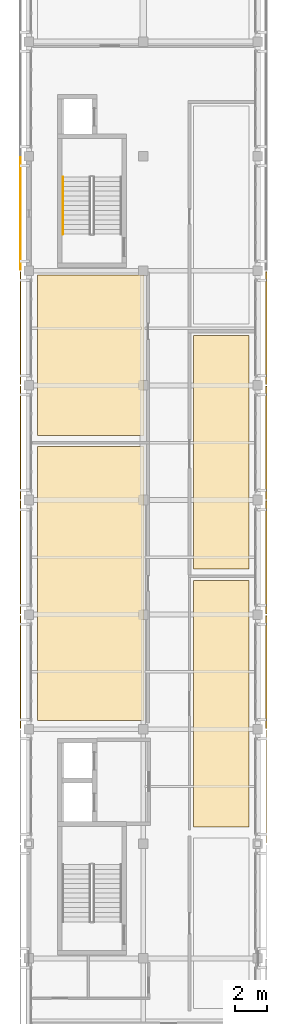
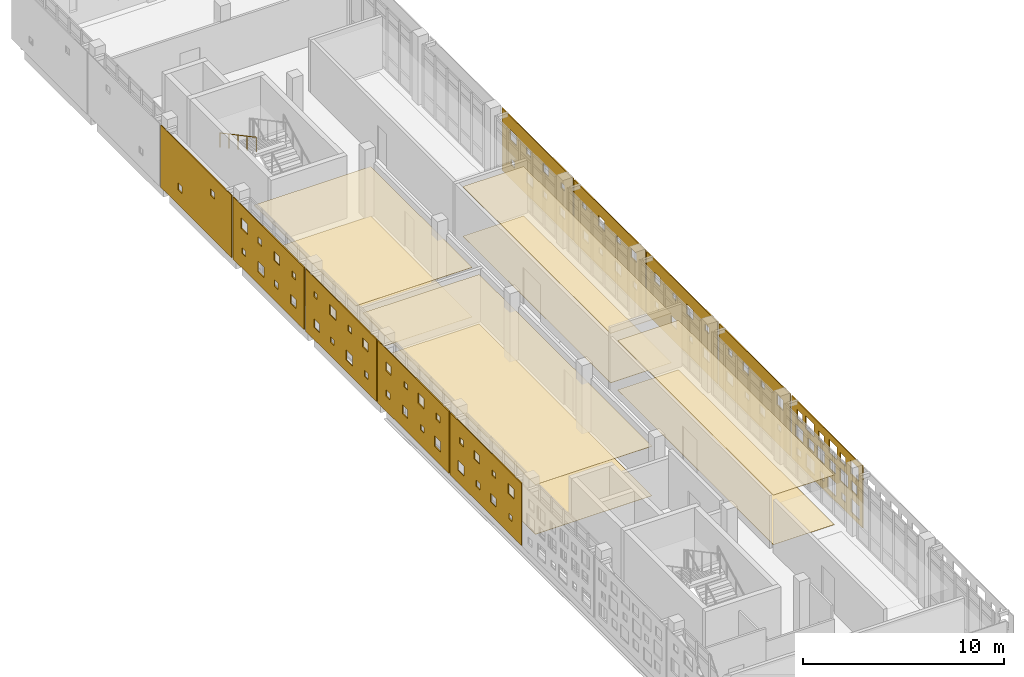
# One storey, part 20 of 21: 18 coverings, 1 railing.
"""IFC4 building model written with IfcOpenShell, lengths in metres."""

from ifc_helpers import new_model, si_unit, direction, frame, origin, origin_2d, place, context, subcontext, project, spatial, polyline, circle, outline, extrude, material, layer, layer_set, type_object, element, save


model = new_model("IFC4")

# Units and contexts
model_context = context("Model", 3, precision=1e-05, world=origin(), true_north=direction((0.0, 1.0)))
body_context = subcontext(model_context, "Body", "Model", "MODEL_VIEW")
ifc_project = project(units=[si_unit("LENGTHUNIT", "METRE"), si_unit("AREAUNIT", "SQUARE_METRE"), si_unit("VOLUMEUNIT", "CUBIC_METRE"), si_unit("PLANEANGLEUNIT", "RADIAN"), si_unit("MASSUNIT", "GRAM", prefix="KILO")], contexts=[model_context])

# Site, building, storey
site_placement = place(None, origin())
site = spatial("IfcSite", under=ifc_project, at=site_placement, CompositionType="ELEMENT")
building_placement = place(site_placement, origin())
building = spatial("IfcBuilding", under=site, at=building_placement, Name="Valkovuoma Quantum and Materials Research Institute", CompositionType="ELEMENT")
storey_placement = place(building_placement, frame((0.0, 0.0, 33.919921875)))
storey = spatial("IfcBuildingStorey", under=building, at=storey_placement, Name="L08", CompositionType="ELEMENT", Elevation=33.919921875)

# Coverings
ifc_material_1 = material(Name="Cleanable acoustic mineral-fibre suspended ceiling", Category="masonry")
ifc_layer_1 = layer(ifc_material_1, 0.02490234375)
ifc_layer_set_1 = layer_set([ifc_layer_1], Name="Cleanable acoustic mineral-fibre suspended ceiling")
covering_type_1 = type_object("IfcCoveringType", Name="Cov-CEIL-01", PredefinedType="CEILING", material=ifc_layer_set_1)
covering_1_placement = place(storey_placement, frame((0.0, 0.0, 3.0)))
element("IfcCovering", 1, at=covering_1_placement, inside=storey, type_object=covering_type_1, Name="L08 acoustic ceiling 0157", PredefinedType="CEILING", context=body_context, shape_type="SweptSolid", body=[
    extrude(outline(polyline([(0.550048828125, 43.75), (7.25, 43.75), (7.25, 60.949951171875), (0.550048828125, 60.949951171875), (0.550048828125, 43.75)])), origin(), (0.0, 0.0, 1.0), 0.025146484375),
])
covering_2_placement = place(storey_placement, frame((0.0, 0.0, 3.0)))
element("IfcCovering", 2, at=covering_2_placement, inside=storey, type_object=covering_type_1, Name="L08 acoustic ceiling 0158", PredefinedType="CEILING", context=body_context, shape_type="SweptSolid", body=[
    extrude(outline(polyline([(0.550048828125, 61.64990234375), (7.25, 61.64990234375), (7.25, 71.75), (0.550048828125, 71.75), (0.550048828125, 61.64990234375)])), origin(), (0.0, 0.0, 1.0), 0.025146484375),
])
covering_3_placement = place(storey_placement, frame((0.0, 0.0, 3.0)))
element("IfcCovering", 3, at=covering_3_placement, inside=storey, type_object=covering_type_1, Name="L08 acoustic ceiling 0161", PredefinedType="CEILING", context=body_context, shape_type="SweptSolid", body=[
    extrude(outline(polyline([(10.35009765625, 37.050048828125), (13.85009765625, 37.050048828125), (13.85009765625, 52.550048828125), (10.35009765625, 52.550048828125), (10.35009765625, 37.050048828125)])), origin(), (0.0, 0.0, 1.0), 0.025146484375),
])
covering_4_placement = place(storey_placement, frame((0.0, 0.0, 3.0)))
element("IfcCovering", 4, at=covering_4_placement, inside=storey, type_object=covering_type_1, Name="L08 acoustic ceiling 0162", PredefinedType="CEILING", context=body_context, shape_type="SweptSolid", body=[
    extrude(outline(polyline([(10.35009765625, 53.25), (13.85009765625, 53.25), (13.85009765625, 67.949951171875), (10.35009765625, 67.949951171875), (10.35009765625, 53.25)])), origin(), (0.0, 0.0, 1.0), 0.025146484375),
])
ifc_material_2 = material(Name="Seamless dissipative laboratory resin flooring", Category="masonry")
ifc_layer_2 = layer(ifc_material_2, 0.014892578125)
ifc_layer_set_2 = layer_set([ifc_layer_2], Name="Seamless dissipative laboratory resin flooring")
covering_type_2 = type_object("IfcCoveringType", Name="Cov-FLOR-01", PredefinedType="FLOORING", material=ifc_layer_set_2)
covering_5_placement = place(storey_placement, origin())
element("IfcCovering", 5, at=covering_5_placement, inside=storey, type_object=covering_type_2, Name="L08 resin flooring 0157", PredefinedType="FLOORING", context=body_context, shape_type="SweptSolid", body=[
    extrude(outline(polyline([(0.550048828125, 43.75), (7.25, 43.75), (7.25, 60.949951171875), (0.550048828125, 60.949951171875), (0.550048828125, 43.75)])), origin(), (0.0, 0.0, 1.0), 0.01513671875),
])
covering_6_placement = place(storey_placement, origin())
element("IfcCovering", 6, at=covering_6_placement, inside=storey, type_object=covering_type_2, Name="L08 resin flooring 0158", PredefinedType="FLOORING", context=body_context, shape_type="SweptSolid", body=[
    extrude(outline(polyline([(0.550048828125, 61.64990234375), (7.25, 61.64990234375), (7.25, 71.75), (0.550048828125, 71.75), (0.550048828125, 61.64990234375)])), origin(), (0.0, 0.0, 1.0), 0.01513671875),
])
covering_7_placement = place(storey_placement, origin())
element("IfcCovering", 7, at=covering_7_placement, inside=storey, type_object=covering_type_2, Name="L08 resin flooring 0161", PredefinedType="FLOORING", context=body_context, shape_type="SweptSolid", body=[
    extrude(outline(polyline([(10.35009765625, 37.050048828125), (13.85009765625, 37.050048828125), (13.85009765625, 52.550048828125), (10.35009765625, 52.550048828125), (10.35009765625, 37.050048828125)])), origin(), (0.0, 0.0, 1.0), 0.01513671875),
])
covering_8_placement = place(storey_placement, origin())
element("IfcCovering", 8, at=covering_8_placement, inside=storey, type_object=covering_type_2, Name="L08 resin flooring 0162", PredefinedType="FLOORING", context=body_context, shape_type="SweptSolid", body=[
    extrude(outline(polyline([(10.35009765625, 53.25), (13.85009765625, 53.25), (13.85009765625, 67.949951171875), (10.35009765625, 67.949951171875), (10.35009765625, 53.25)])), origin(), (0.0, 0.0, 1.0), 0.01513671875),
])
ifc_material_3 = material(Name="White powder-coated aluminium architectural panel", Category="aluminium")
ifc_layer_3 = layer(ifc_material_3, 0.054931640625)
ifc_layer_set_3 = layer_set([ifc_layer_3], Name="White powder-coated aluminium architectural panel")
covering_type_3 = type_object("IfcCoveringType", Name="Cov-PERF-DENSE", PredefinedType="CLADDING", material=ifc_layer_set_3)
covering_9_placement = place(storey_placement, frame((14.919921875, 36.06005859375, 0.02001953125), z_axis=(0.0, 0.0, 1.0), x_axis=(0.0, 1.0, 0.0)))
element("IfcCovering", 9, at=covering_9_placement, inside=storey, type_object=covering_type_3, Name="L08 graduated perforated white screen E-0121", PredefinedType="CLADDING", context=body_context, shape_type="SweptSolid", body=[
    extrude(outline(polyline([(0.0, 0.0), (7.079833984375, 0.0), (7.079833984375, 3.77001953125), (0.0, 3.77001953125), (0.0, 0.0)]), holes=[polyline([(0.318359375, 0.304931640625), (0.318359375, 1.14501953125), (1.158203125, 1.14501953125), (1.158203125, 0.304931640625), (0.318359375, 0.304931640625)]), polyline([(0.568359375, 1.64501953125), (0.568359375, 2.22509765625), (1.148193359375, 2.22509765625), (1.148193359375, 1.64501953125), (0.568359375, 1.64501953125)]), polyline([(0.398193359375, 2.594970703125), (0.398193359375, 3.39501953125), (1.1982421875, 3.39501953125), (1.1982421875, 2.594970703125), (0.398193359375, 2.594970703125)]), polyline([(1.68505859375, 0.514892578125), (1.68505859375, 0.93505859375), (2.10498046875, 0.93505859375), (2.10498046875, 0.514892578125), (1.68505859375, 0.514892578125)]), polyline([(1.455078125, 1.554931640625), (1.455078125, 2.31494140625), (2.215087890625, 2.31494140625), (2.215087890625, 1.554931640625), (1.455078125, 1.554931640625)]), polyline([(1.68505859375, 2.72509765625), (1.68505859375, 3.264892578125), (2.22509765625, 3.264892578125), (2.22509765625, 2.72509765625), (1.68505859375, 2.72509765625)]), polyline([(2.631591796875, 0.304931640625), (2.631591796875, 1.14501953125), (3.4716796875, 1.14501953125), (3.4716796875, 0.304931640625), (2.631591796875, 0.304931640625)]), polyline([(2.70166015625, 1.64501953125), (2.70166015625, 2.22509765625), (3.28173828125, 2.22509765625), (3.28173828125, 1.64501953125), (2.70166015625, 1.64501953125)]), polyline([(2.53173828125, 2.594970703125), (2.53173828125, 3.39501953125), (3.331787109375, 3.39501953125), (3.331787109375, 2.594970703125), (2.53173828125, 2.594970703125)]), polyline([(3.818359375, 0.514892578125), (3.818359375, 0.93505859375), (4.23828125, 0.93505859375), (4.23828125, 0.514892578125), (3.818359375, 0.514892578125)]), polyline([(3.768310546875, 1.554931640625), (3.768310546875, 2.31494140625), (4.5283203125, 2.31494140625), (4.5283203125, 1.554931640625), (3.768310546875, 1.554931640625)]), polyline([(3.818359375, 2.72509765625), (3.818359375, 3.264892578125), (4.3583984375, 3.264892578125), (4.3583984375, 2.72509765625), (3.818359375, 2.72509765625)]), polyline([(4.764892578125, 0.304931640625), (4.764892578125, 1.14501953125), (5.60498046875, 1.14501953125), (5.60498046875, 0.304931640625), (4.764892578125, 0.304931640625)]), polyline([(4.8349609375, 1.64501953125), (4.8349609375, 2.22509765625), (5.4150390625, 2.22509765625), (5.4150390625, 1.64501953125), (4.8349609375, 1.64501953125)]), polyline([(4.844970703125, 2.594970703125), (4.844970703125, 3.39501953125), (5.64501953125, 3.39501953125), (5.64501953125, 2.594970703125), (4.844970703125, 2.594970703125)]), polyline([(6.131591796875, 0.514892578125), (6.131591796875, 0.93505859375), (6.5517578125, 0.93505859375), (6.5517578125, 0.514892578125), (6.131591796875, 0.514892578125)]), polyline([(5.901611328125, 1.554931640625), (5.901611328125, 2.31494140625), (6.66162109375, 2.31494140625), (6.66162109375, 1.554931640625), (5.901611328125, 1.554931640625)]), polyline([(5.95166015625, 2.72509765625), (5.95166015625, 3.264892578125), (6.49169921875, 3.264892578125), (6.49169921875, 2.72509765625), (5.95166015625, 2.72509765625)])]), frame((0.0, 0.02734375, 0.0), z_axis=(0.0, -1.0, 0.0), x_axis=(1.0, 0.0, 0.0)), (0.0, 0.0, 1.0), 0.054931640625),
])
ifc_material_4 = material(Name="White powder-coated aluminium architectural panel", Category="aluminium")
ifc_layer_4 = layer(ifc_material_4, 0.054931640625)
ifc_layer_set_4 = layer_set([ifc_layer_4], Name="White powder-coated aluminium architectural panel")
covering_type_4 = type_object("IfcCoveringType", Name="Cov-PERF-MID", PredefinedType="CLADDING", material=ifc_layer_set_4)
for number, where, z_axis, x_axis, name in (
    (10, (-0.52001953125, 43.260009765625, 0.02001953125), (0.0, 0.0, 1.0), (0.0, 1.0, 0.0), "L08 graduated perforated white screen W-0122"),
    (11, (14.919921875, 43.260009765625, 0.02001953125), (0.0, 0.0, 1.0), (0.0, 1.0, 0.0), "L08 graduated perforated white screen E-0123"),
):
    element("IfcCovering", number, at=place(storey_placement, frame(where, z_axis=z_axis, x_axis=x_axis)), inside=storey, type_object=covering_type_4, Name=name, PredefinedType="CLADDING", context=body_context, shape_type="SweptSolid", body=[
        extrude(outline(polyline([(0.0, 0.0), (7.080078125, 0.0), (7.080078125, 3.77001953125), (0.0, 3.77001953125), (0.0, 0.0)]), holes=[polyline([(0.902587890625, 0.882568359375), (0.902587890625, 1.222412109375), (1.242431640625, 1.222412109375), (1.242431640625, 0.882568359375), (0.902587890625, 0.882568359375)]), polyline([(0.702392578125, 2.357421875), (0.702392578125, 2.9775390625), (1.322509765625, 2.9775390625), (1.322509765625, 2.357421875), (0.702392578125, 2.357421875)]), polyline([(2.507568359375, 0.782470703125), (2.507568359375, 1.322509765625), (3.047607421875, 1.322509765625), (3.047607421875, 0.782470703125), (2.507568359375, 0.782470703125)]), polyline([(2.547607421875, 2.49755859375), (2.547607421875, 2.83740234375), (2.887451171875, 2.83740234375), (2.887451171875, 2.49755859375), (2.547607421875, 2.49755859375)]), polyline([(4.112548828125, 0.862548828125), (4.112548828125, 1.242431640625), (4.492431640625, 1.242431640625), (4.492431640625, 0.862548828125), (4.112548828125, 0.862548828125)]), polyline([(4.152587890625, 2.3974609375), (4.152587890625, 2.9375), (4.6923828125, 2.9375), (4.6923828125, 2.3974609375), (4.152587890625, 2.3974609375)]), polyline([(5.697509765625, 0.742431640625), (5.697509765625, 1.362548828125), (6.3173828125, 1.362548828125), (6.3173828125, 0.742431640625), (5.697509765625, 0.742431640625)]), polyline([(5.757568359375, 2.4775390625), (5.757568359375, 2.857421875), (6.137451171875, 2.857421875), (6.137451171875, 2.4775390625), (5.757568359375, 2.4775390625)])]), frame((0.0, 0.02734375, 0.0), z_axis=(0.0, -1.0, 0.0), x_axis=(1.0, 0.0, 0.0)), (0.0, 0.0, 1.0), 0.054931640625),
    ])
for number, where, z_axis, x_axis, name in (
    (12, (-0.52001953125, 50.4599609375, 0.02001953125), (0.0, 0.0, 1.0), (0.0, 1.0, 0.0), "L08 graduated perforated white screen W-0124"),
    (13, (14.919921875, 50.4599609375, 0.02001953125), (0.0, 0.0, 1.0), (0.0, 1.0, 0.0), "L08 graduated perforated white screen E-0125"),
):
    element("IfcCovering", number, at=place(storey_placement, frame(where, z_axis=z_axis, x_axis=x_axis)), inside=storey, type_object=covering_type_4, Name=name, PredefinedType="CLADDING", context=body_context, shape_type="SweptSolid", body=[
        extrude(outline(polyline([(0.0, 0.0), (7.080078125, 0.0), (7.080078125, 3.77001953125), (0.0, 3.77001953125), (0.0, 0.0)]), holes=[polyline([(0.822509765625, 0.79248046875), (0.822509765625, 1.41259765625), (1.4423828125, 1.41259765625), (1.4423828125, 0.79248046875), (0.822509765625, 0.79248046875)]), polyline([(0.882568359375, 2.527587890625), (0.882568359375, 2.907470703125), (1.262451171875, 2.907470703125), (1.262451171875, 2.527587890625), (0.882568359375, 2.527587890625)]), polyline([(2.487548828125, 0.9326171875), (2.487548828125, 1.2724609375), (2.827392578125, 1.2724609375), (2.827392578125, 0.9326171875), (2.487548828125, 0.9326171875)]), polyline([(2.467529296875, 2.407470703125), (2.467529296875, 3.027587890625), (3.08740234375, 3.027587890625), (3.08740234375, 2.407470703125), (2.467529296875, 2.407470703125)]), polyline([(4.092529296875, 0.83251953125), (4.092529296875, 1.37255859375), (4.632568359375, 1.37255859375), (4.632568359375, 0.83251953125), (4.092529296875, 0.83251953125)]), polyline([(4.132568359375, 2.547607421875), (4.132568359375, 2.887451171875), (4.472412109375, 2.887451171875), (4.472412109375, 2.547607421875), (4.132568359375, 2.547607421875)]), polyline([(5.87744140625, 0.91259765625), (5.87744140625, 1.29248046875), (6.257568359375, 1.29248046875), (6.257568359375, 0.91259765625), (5.87744140625, 0.91259765625)]), polyline([(5.737548828125, 2.447509765625), (5.737548828125, 2.987548828125), (6.277587890625, 2.987548828125), (6.277587890625, 2.447509765625), (5.737548828125, 2.447509765625)])]), frame((0.0, 0.02734375, 0.0), z_axis=(0.0, -1.0, 0.0), x_axis=(1.0, 0.0, 0.0)), (0.0, 0.0, 1.0), 0.054931640625),
    ])
for number, where, z_axis, x_axis, name in (
    (14, (-0.52001953125, 57.659912109375, 0.02001953125), (0.0, 0.0, 1.0), (0.0, 1.0, 0.0), "L08 graduated perforated white screen W-0126"),
    (15, (14.919921875, 57.659912109375, 0.02001953125), (0.0, 0.0, 1.0), (0.0, 1.0, 0.0), "L08 graduated perforated white screen E-0127"),
):
    element("IfcCovering", number, at=place(storey_placement, frame(where, z_axis=z_axis, x_axis=x_axis)), inside=storey, type_object=covering_type_4, Name=name, PredefinedType="CLADDING", context=body_context, shape_type="SweptSolid", body=[
        extrude(outline(polyline([(0.0, 0.0), (7.080078125, 0.0), (7.080078125, 3.77001953125), (0.0, 3.77001953125), (0.0, 0.0)]), holes=[polyline([(0.822509765625, 0.8125), (0.822509765625, 1.1923828125), (1.202392578125, 1.1923828125), (1.202392578125, 0.8125), (0.822509765625, 0.8125)]), polyline([(0.862548828125, 2.49755859375), (0.862548828125, 3.03759765625), (1.402587890625, 3.03759765625), (1.402587890625, 2.49755859375), (0.862548828125, 2.49755859375)]), polyline([(2.407470703125, 0.6923828125), (2.407470703125, 1.3125), (3.027587890625, 1.3125), (3.027587890625, 0.6923828125), (2.407470703125, 0.6923828125)]), polyline([(2.467529296875, 2.577392578125), (2.467529296875, 2.95751953125), (2.847412109375, 2.95751953125), (2.847412109375, 2.577392578125), (2.467529296875, 2.577392578125)]), polyline([(4.25244140625, 0.83251953125), (4.25244140625, 1.172607421875), (4.592529296875, 1.172607421875), (4.592529296875, 0.83251953125), (4.25244140625, 0.83251953125)]), polyline([(4.052490234375, 2.45751953125), (4.052490234375, 3.077392578125), (4.672607421875, 3.077392578125), (4.672607421875, 2.45751953125), (4.052490234375, 2.45751953125)]), polyline([(5.677490234375, 0.732421875), (5.677490234375, 1.2724609375), (6.217529296875, 1.2724609375), (6.217529296875, 0.732421875), (5.677490234375, 0.732421875)]), polyline([(5.8974609375, 2.597412109375), (5.8974609375, 2.9375), (6.237548828125, 2.9375), (6.237548828125, 2.597412109375), (5.8974609375, 2.597412109375)])]), frame((0.0, 0.02734375, 0.0), z_axis=(0.0, -1.0, 0.0), x_axis=(1.0, 0.0, 0.0)), (0.0, 0.0, 1.0), 0.054931640625),
    ])
for number, where, z_axis, x_axis, name in (
    (16, (-0.52001953125, 64.860107421875, 0.02001953125), (0.0, 0.0, 1.0), (0.0, 1.0, 0.0), "L08 graduated perforated white screen W-0128"),
    (17, (14.919921875, 64.860107421875, 0.02001953125), (0.0, 0.0, 1.0), (0.0, 1.0, 0.0), "L08 graduated perforated white screen E-0129"),
):
    element("IfcCovering", number, at=place(storey_placement, frame(where, z_axis=z_axis, x_axis=x_axis)), inside=storey, type_object=covering_type_4, Name=name, PredefinedType="CLADDING", context=body_context, shape_type="SweptSolid", body=[
        extrude(outline(polyline([(0.0, 0.0), (7.079833984375, 0.0), (7.079833984375, 3.77001953125), (0.0, 3.77001953125), (0.0, 0.0)]), holes=[polyline([(0.802490234375, 0.782470703125), (0.802490234375, 1.322509765625), (1.342529296875, 1.322509765625), (1.342529296875, 0.782470703125), (0.802490234375, 0.782470703125)]), polyline([(0.842529296875, 2.49755859375), (0.842529296875, 2.83740234375), (1.1826171875, 2.83740234375), (1.1826171875, 2.49755859375), (0.842529296875, 2.49755859375)]), polyline([(2.58740234375, 0.862548828125), (2.58740234375, 1.242431640625), (2.967529296875, 1.242431640625), (2.967529296875, 0.862548828125), (2.58740234375, 0.862548828125)]), polyline([(2.447509765625, 2.3974609375), (2.447509765625, 2.9375), (2.987548828125, 2.9375), (2.987548828125, 2.3974609375), (2.447509765625, 2.3974609375)]), polyline([(3.992431640625, 0.742431640625), (3.992431640625, 1.362548828125), (4.612548828125, 1.362548828125), (4.612548828125, 0.742431640625), (3.992431640625, 0.742431640625)]), polyline([(4.232421875, 2.4775390625), (4.232421875, 2.857421875), (4.612548828125, 2.857421875), (4.612548828125, 2.4775390625), (4.232421875, 2.4775390625)]), polyline([(5.83740234375, 0.882568359375), (5.83740234375, 1.222412109375), (6.177490234375, 1.222412109375), (6.177490234375, 0.882568359375), (5.83740234375, 0.882568359375)]), polyline([(5.637451171875, 2.357421875), (5.637451171875, 2.9775390625), (6.257568359375, 2.9775390625), (6.257568359375, 2.357421875), (5.637451171875, 2.357421875)])]), frame((0.0, 0.02734375, 0.0), z_axis=(0.0, -1.0, 0.0), x_axis=(1.0, 0.0, 0.0)), (0.0, 0.0, 1.0), 0.054931640625),
    ])
ifc_material_5 = material(Name="White powder-coated aluminium architectural panel", Category="aluminium")
ifc_layer_5 = layer(ifc_material_5, 0.054931640625)
ifc_layer_set_5 = layer_set([ifc_layer_5], Name="White powder-coated aluminium architectural panel")
covering_type_5 = type_object("IfcCoveringType", Name="Cov-PERF-SPARSE", PredefinedType="CLADDING", material=ifc_layer_set_5)
covering_10_placement = place(storey_placement, frame((-0.52001953125, 72.06005859375, 0.02001953125), z_axis=(0.0, 0.0, 1.0), x_axis=(0.0, 1.0, 0.0)))
element("IfcCovering", 18, at=covering_10_placement, inside=storey, type_object=covering_type_5, Name="L08 graduated perforated white screen W-0130", PredefinedType="CLADDING", context=body_context, shape_type="SweptSolid", body=[
    extrude(outline(polyline([(0.0, 0.0), (7.079833984375, 0.0), (7.079833984375, 3.77001953125), (0.0, 3.77001953125), (0.0, 0.0)]), holes=[polyline([(1.695068359375, 2.517578125), (1.695068359375, 2.91748046875), (2.094970703125, 2.91748046875), (2.094970703125, 2.517578125), (1.695068359375, 2.517578125)]), polyline([(4.925048828125, 0.902587890625), (4.925048828125, 1.302490234375), (5.324951171875, 1.302490234375), (5.324951171875, 0.902587890625), (4.925048828125, 0.902587890625)])]), frame((0.0, 0.02734375, 0.0), z_axis=(0.0, -1.0, 0.0), x_axis=(1.0, 0.0, 0.0)), (0.0, 0.0, 1.0), 0.054931640625),
])

# Railing
ifc_material_6 = material(Name="Brushed stainless steel handrail", Category="steel")
railing_type = type_object("IfcRailingType", Name="Rail-HR-ST", PredefinedType="HANDRAIL", material=ifc_material_6)
railing_placement = place(storey_placement, frame((2.14990234375, 77.89990234375, 2.239990234375)))
element("IfcRailing", 19, at=railing_placement, inside=storey, type_object=railing_type, Name="L08 ST-2 stair handrail 2", PredefinedType="HANDRAIL", context=body_context, shape_type="SweptSolid", body=[
    extrude(circle(Radius=0.02392578125, at=origin_2d()), frame((0.0, 0.0, 0.8759765625), z_axis=(0.0, -0.882328093246, 0.470634822203), x_axis=(1.0, 0.0, 0.0)), (0.0, 0.0, 1.0), 4.079833984375),
    extrude(circle(Radius=0.02099609375, at=origin_2d()), origin(), (0.0, 0.0, 1.0), 0.851806640625),
    extrude(circle(Radius=0.02099609375, at=origin_2d()), frame((0.0, -0.89990234375, 0.47998046875)), (0.0, 0.0, 1.0), 0.851806640625),
    extrude(circle(Radius=0.02099609375, at=origin_2d()), frame((0.0, -1.7998046875, 0.9599609375)), (0.0, 0.0, 1.0), 0.851806640625),
    extrude(circle(Radius=0.02099609375, at=origin_2d()), frame((0.0, -2.699951171875, 1.440185546875)), (0.0, 0.0, 1.0), 0.851806640625),
    extrude(circle(Radius=0.02099609375, at=origin_2d()), frame((0.0, -3.599853515625, 1.920166015625)), (0.0, 0.0, 1.0), 0.851806640625),
])

save(model, "model.ifc")
